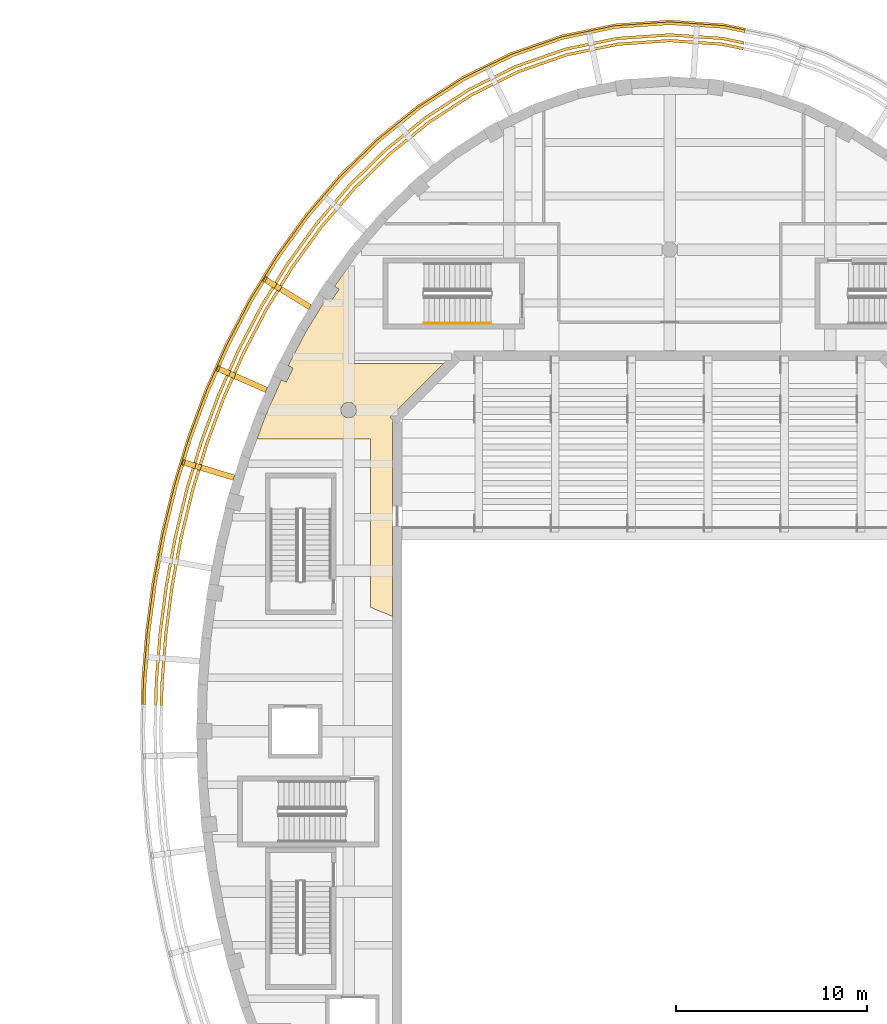
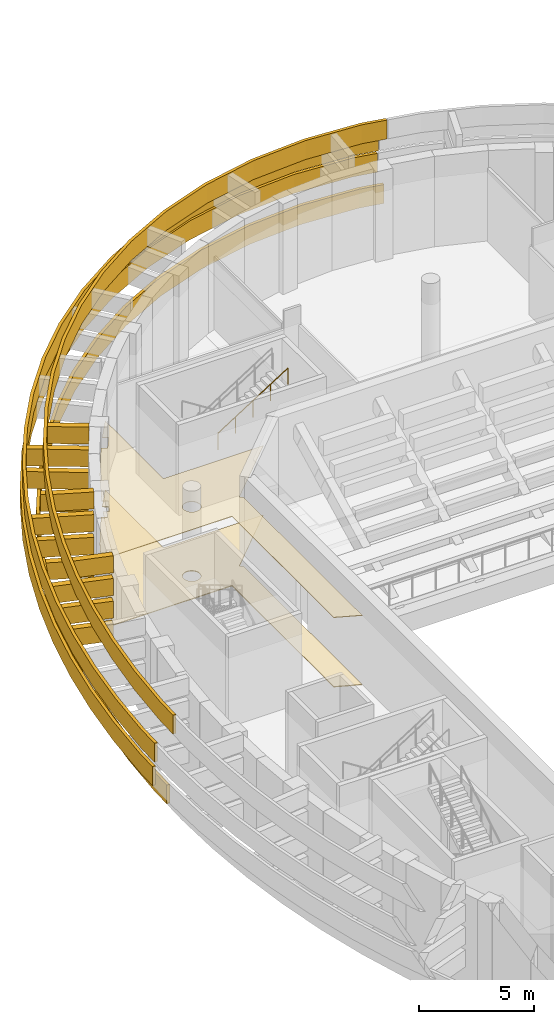
# One storey, part 34 of 37: 18 coverings, 1 railing.
"""IFC4 building model written with IfcOpenShell, lengths in metres."""

from ifc_helpers import new_model, si_unit, direction, frame, origin, origin_2d, place, context, subcontext, project, spatial, polyline, rectangle, circle, outline, extrude, material, layer, layer_set, type_object, element, save


model = new_model("IFC4")

# Units and contexts
model_context = context("Model", 3, precision=1e-05, world=origin(), true_north=direction((0.0, 1.0)))
body_context = subcontext(model_context, "Body", "Model", "MODEL_VIEW")
ifc_project = project(units=[si_unit("LENGTHUNIT", "METRE"), si_unit("AREAUNIT", "SQUARE_METRE"), si_unit("VOLUMEUNIT", "CUBIC_METRE"), si_unit("PLANEANGLEUNIT", "RADIAN"), si_unit("MASSUNIT", "GRAM", prefix="KILO")], contexts=[model_context])

# Site, building, storey
site_placement = place(None, origin())
site = spatial("IfcSite", under=ifc_project, at=site_placement, CompositionType="ELEMENT")
building_placement = place(site_placement, origin())
building = spatial("IfcBuilding", under=site, at=building_placement, Name="Larchfold Concert Hall", CompositionType="ELEMENT")
storey_placement = place(building_placement, frame((0.0, 0.0, 19.199951171875)))
storey = spatial("IfcBuildingStorey", under=building, at=storey_placement, Name="L04", CompositionType="ELEMENT", Elevation=19.199951171875)

# Coverings
ifc_material_1 = material(Name="Plasterboard ceiling lining")
ifc_layer_1 = layer(ifc_material_1, 0.030029296875)
ifc_layer_set_1 = layer_set([ifc_layer_1], Name="Plasterboard ceiling lining")
covering_type_1 = type_object("IfcCoveringType", Name="Ceiling suspended plasterboard 30", PredefinedType="CEILING", material=ifc_layer_set_1)
covering_1_placement = place(storey_placement, frame((0.0, 0.0, 3.670166015625)))
element("IfcCovering", 1, at=covering_1_placement, inside=storey, type_object=covering_type_1, Name="Ceiling Hall Foyer North West", PredefinedType="CEILING", context=body_context, shape_type="SweptSolid", body=[
    extrude(outline(polyline([(26.949951171875, 99.900146484375), (26.949951171875, 91.08251953125), (28.10009765625, 90.60595703125), (28.10009765625, 100.878662109375), (27.962646484375, 101.01611328125), (30.79638671875, 103.849853515625), (25.800048828125, 103.849853515625), (25.800048828125, 108.898681640625), (25.06494140625, 107.884033203125), (25.301513671875, 107.726318359375), (24.857666015625, 107.060791015625), (24.620361328125, 107.218994140625), (23.564208984375, 105.502685546875), (22.63037109375, 103.715576171875), (22.888671875, 103.591552734375), (22.5419921875, 102.870361328125), (22.283203125, 102.994873046875), (21.468017578125, 101.149169921875), (21.00634765625, 99.900146484375), (26.949951171875, 99.900146484375)]), holes=[polyline([(25.696533203125, 101.013427734375), (25.64697265625, 101.0302734375), (25.60009765625, 101.053466796875), (25.556640625, 101.08251953125), (25.51708984375, 101.116943359375), (25.482666015625, 101.156494140625), (25.45361328125, 101.199951171875), (25.430419921875, 101.246826171875), (25.41357421875, 101.29638671875), (25.403564453125, 101.34765625), (25.400146484375, 101.39990234375), (25.403564453125, 101.4521484375), (25.41357421875, 101.50341796875), (25.430419921875, 101.552978515625), (25.45361328125, 101.599853515625), (25.482666015625, 101.643310546875), (25.51708984375, 101.682861328125), (25.556640625, 101.71728515625), (25.60009765625, 101.746337890625), (25.64697265625, 101.76953125), (25.696533203125, 101.786376953125), (25.747802734375, 101.79638671875), (25.800048828125, 101.7998046875), (25.852294921875, 101.79638671875), (25.903564453125, 101.786376953125), (25.953125, 101.76953125), (26.0, 101.746337890625), (26.04345703125, 101.71728515625), (26.0830078125, 101.682861328125), (26.117431640625, 101.643310546875), (26.146484375, 101.599853515625), (26.169677734375, 101.552978515625), (26.1865234375, 101.50341796875), (26.196533203125, 101.4521484375), (26.199951171875, 101.39990234375), (26.196533203125, 101.34765625), (26.1865234375, 101.29638671875), (26.169677734375, 101.246826171875), (26.146484375, 101.199951171875), (26.117431640625, 101.156494140625), (26.0830078125, 101.116943359375), (26.04345703125, 101.08251953125), (26.0, 101.053466796875), (25.953125, 101.0302734375), (25.903564453125, 101.013427734375), (25.852294921875, 101.00341796875), (25.800048828125, 101.0), (25.747802734375, 101.00341796875), (25.696533203125, 101.013427734375)])]), origin(), (0.0, 0.0, 1.0), 0.030029296875),
])
ifc_material_2 = material(Name="Polished terrazzo")
ifc_layer_2 = layer(ifc_material_2, 0.0400390625)
ifc_layer_set_2 = layer_set([ifc_layer_2], Name="Polished terrazzo")
covering_type_2 = type_object("IfcCoveringType", Name="Floor finish terrazzo 40", PredefinedType="FLOORING", material=ifc_layer_set_2)
covering_2_placement = place(storey_placement, origin())
element("IfcCovering", 2, at=covering_2_placement, inside=storey, type_object=covering_type_2, Name="Floor finish Hall Foyer North West", PredefinedType="FLOORING", context=body_context, shape_type="SweptSolid", body=[
    extrude(outline(polyline([(26.949951171875, 99.900146484375), (26.949951171875, 91.08251953125), (28.10009765625, 90.60595703125), (28.10009765625, 100.878662109375), (27.962646484375, 101.01611328125), (30.79638671875, 103.849853515625), (25.800048828125, 103.849853515625), (25.800048828125, 108.898681640625), (25.06494140625, 107.884033203125), (25.301513671875, 107.726318359375), (24.857666015625, 107.060791015625), (24.620361328125, 107.218994140625), (23.564208984375, 105.502685546875), (22.63037109375, 103.715576171875), (22.888671875, 103.591552734375), (22.5419921875, 102.870361328125), (22.283203125, 102.994873046875), (21.468017578125, 101.149169921875), (21.00634765625, 99.900146484375), (26.949951171875, 99.900146484375)]), holes=[polyline([(25.696533203125, 101.013427734375), (25.64697265625, 101.0302734375), (25.60009765625, 101.053466796875), (25.556640625, 101.08251953125), (25.51708984375, 101.116943359375), (25.482666015625, 101.156494140625), (25.45361328125, 101.199951171875), (25.430419921875, 101.246826171875), (25.41357421875, 101.29638671875), (25.403564453125, 101.34765625), (25.400146484375, 101.39990234375), (25.403564453125, 101.4521484375), (25.41357421875, 101.50341796875), (25.430419921875, 101.552978515625), (25.45361328125, 101.599853515625), (25.482666015625, 101.643310546875), (25.51708984375, 101.682861328125), (25.556640625, 101.71728515625), (25.60009765625, 101.746337890625), (25.64697265625, 101.76953125), (25.696533203125, 101.786376953125), (25.747802734375, 101.79638671875), (25.800048828125, 101.7998046875), (25.852294921875, 101.79638671875), (25.903564453125, 101.786376953125), (25.953125, 101.76953125), (26.0, 101.746337890625), (26.04345703125, 101.71728515625), (26.0830078125, 101.682861328125), (26.117431640625, 101.643310546875), (26.146484375, 101.599853515625), (26.169677734375, 101.552978515625), (26.1865234375, 101.50341796875), (26.196533203125, 101.4521484375), (26.199951171875, 101.39990234375), (26.196533203125, 101.34765625), (26.1865234375, 101.29638671875), (26.169677734375, 101.246826171875), (26.146484375, 101.199951171875), (26.117431640625, 101.156494140625), (26.0830078125, 101.116943359375), (26.04345703125, 101.08251953125), (26.0, 101.053466796875), (25.953125, 101.0302734375), (25.903564453125, 101.013427734375), (25.852294921875, 101.00341796875), (25.800048828125, 101.0), (25.747802734375, 101.00341796875), (25.696533203125, 101.013427734375)])]), origin(), (0.0, 0.0, 1.0), 0.0400390625),
])
ifc_material_3 = material(Name="Powder-coated orange aluminium", Category="aluminium")
ifc_layer_3 = layer(ifc_material_3, 0.14990234375)
ifc_layer_set_3 = layer_set([ifc_layer_3], Name="Powder-coated orange aluminium")
covering_type_3 = type_object("IfcCoveringType", Name="Orange aluminium ring cladding", PredefinedType="CLADDING", material=ifc_layer_set_3)
covering_3_placement = place(storey_placement, frame((0.0, 0.0, 0.900146484375)))
element("IfcCovering", 3, at=covering_3_placement, inside=storey, type_object=covering_type_3, Name="Ring band R08b", PredefinedType="CLADDING", context=body_context, shape_type="SweptSolid", body=[
    extrude(outline(polyline([(42.60009765625, 120.95556640625), (45.347412109375, 120.766357421875), (46.470703125, 120.533447265625), (46.487060546875, 120.683349609375), (45.367919921875, 120.915283203125), (42.60009765625, 121.10595703125), (39.832275390625, 120.915283203125), (37.1240234375, 120.353759765625), (34.52685546875, 119.448974609375), (32.07861328125, 118.241455078125), (29.80322265625, 116.774658203125), (27.7109375, 115.091064453125), (25.805908203125, 113.22802734375), (24.0849609375, 111.218505859375), (22.542236328125, 109.08935546875), (21.171630859375, 106.86181640625), (19.9658203125, 104.5546875), (18.917724609375, 102.182373046875), (18.02197265625, 99.75732421875), (17.272705078125, 97.2900390625), (16.66552734375, 94.789306640625), (16.197021484375, 92.263427734375), (15.864013671875, 89.718994140625), (15.665283203125, 87.162353515625), (15.63427734375, 85.959228515625), (15.7841796875, 85.951904296875), (15.815185546875, 87.154541015625), (16.013427734375, 89.703369140625), (16.34521484375, 92.239990234375), (16.812255859375, 94.7578125), (17.41748046875, 97.25048828125), (18.1640625, 99.70947265625), (19.056884765625, 102.126220703125), (20.10107421875, 104.489501953125), (21.302001953125, 106.78759765625), (22.6669921875, 109.005859375), (24.202880859375, 111.125732421875), (25.91552734375, 113.12548828125), (27.810546875, 114.978759765625), (29.89111328125, 116.65283203125), (32.152587890625, 118.110595703125), (34.5849609375, 119.310546875), (37.1640625, 120.208740234375), (39.852783203125, 120.766357421875), (42.60009765625, 120.95556640625)])), origin(), (0.0, 0.0, 1.0), 1.0),
])
covering_4_placement = place(storey_placement, frame((0.0, 0.0, 2.10009765625)))
element("IfcCovering", 4, at=covering_4_placement, inside=storey, type_object=covering_type_3, Name="Ring band R09b", PredefinedType="CLADDING", context=body_context, shape_type="SweptSolid", body=[
    extrude(outline(polyline([(42.60009765625, 121.6572265625), (45.443115234375, 121.46142578125), (46.546630859375, 121.232666015625), (46.562744140625, 121.38232421875), (45.463623046875, 121.6103515625), (42.60009765625, 121.8076171875), (39.736572265625, 121.6103515625), (36.93701171875, 121.02978515625), (34.255859375, 120.095947265625), (31.733154296875, 118.8515625), (29.392822265625, 117.343017578125), (27.245849609375, 115.614990234375), (25.29443359375, 113.70703125), (23.53466796875, 111.65234375), (21.9599609375, 109.478515625), (20.5625, 107.207763671875), (19.3349609375, 104.8583984375), (18.268798828125, 102.445556640625), (17.358154296875, 99.980712890625), (16.59716796875, 97.474609375), (15.980712890625, 94.935791015625), (15.50537109375, 92.372802734375), (15.167724609375, 89.79150390625), (14.966064453125, 87.198486328125), (14.93505859375, 85.993896484375), (15.0849609375, 85.986572265625), (15.115966796875, 87.19091796875), (15.31689453125, 89.77587890625), (15.653564453125, 92.349365234375), (16.12744140625, 94.904541015625), (16.741943359375, 97.43505859375), (17.500244140625, 99.932861328125), (18.40771484375, 102.38916015625), (19.469970703125, 104.79345703125), (20.693115234375, 107.133544921875), (22.084716796875, 109.395263671875), (23.652587890625, 111.559326171875), (25.404052734375, 113.604248046875), (27.345458984375, 115.502685546875), (29.480712890625, 117.22119140625), (31.80712890625, 118.720703125), (34.31396484375, 119.957275390625), (36.97705078125, 120.884765625), (39.757080078125, 121.46142578125), (42.60009765625, 121.6572265625)])), origin(), (0.0, 0.0, 1.0), 1.0),
])
covering_5_placement = place(storey_placement, frame((0.0, 0.0, 3.300048828125)))
element("IfcCovering", 5, at=covering_5_placement, inside=storey, type_object=covering_type_3, Name="Ring band R10b", PredefinedType="CLADDING", context=body_context, shape_type="SweptSolid", body=[
    extrude(outline(polyline([(42.60009765625, 121.556884765625), (45.429443359375, 121.362060546875), (46.53564453125, 121.1328125), (46.552001953125, 121.282470703125), (45.449951171875, 121.51123046875), (42.60009765625, 121.707275390625), (39.750244140625, 121.51123046875), (36.9638671875, 120.93310546875), (34.294677734375, 120.00341796875), (31.782470703125, 118.764404296875), (29.451416015625, 117.26171875), (27.312255859375, 115.540283203125), (25.367431640625, 113.638671875), (23.61328125, 111.59033203125), (22.04296875, 109.4228515625), (20.6494140625, 107.158203125), (19.425048828125, 104.815185546875), (18.361572265625, 102.407958984375), (17.452880859375, 99.94873046875), (16.693603515625, 97.4482421875), (16.07861328125, 94.914794921875), (15.60400390625, 92.357177734375), (15.26708984375, 89.781005859375), (15.06591796875, 87.193359375), (15.034912109375, 85.989013671875), (15.184814453125, 85.981689453125), (15.2158203125, 87.185546875), (15.41650390625, 89.765625), (15.752197265625, 92.333740234375), (16.225341796875, 94.883544921875), (16.83837890625, 97.40869140625), (17.59521484375, 99.90087890625), (18.50048828125, 102.3515625), (19.560302734375, 104.75), (20.780029296875, 107.084228515625), (22.16796875, 109.339599609375), (23.731201171875, 111.497314453125), (25.47705078125, 113.535888671875), (27.411865234375, 115.427978515625), (29.539306640625, 117.139892578125), (31.8564453125, 118.633544921875), (34.352783203125, 119.864990234375), (37.00390625, 120.788330078125), (39.770751953125, 121.362060546875), (42.60009765625, 121.556884765625)])), origin(), (0.0, 0.0, 1.0), 1.0),
])
covering_6_placement = place(storey_placement, frame((0.0, 0.0, 4.5)))
element("IfcCovering", 6, at=covering_6_placement, inside=storey, type_object=covering_type_3, Name="Ring band R11b", PredefinedType="CLADDING", context=body_context, shape_type="SweptSolid", body=[
    extrude(outline(polyline([(42.60009765625, 120.65478515625), (45.306396484375, 120.468505859375), (46.438232421875, 120.23388671875), (46.45458984375, 120.383544921875), (45.326904296875, 120.617431640625), (42.60009765625, 120.80517578125), (39.873291015625, 120.617431640625), (37.2041015625, 120.06396484375), (34.64306640625, 119.171875), (32.226806640625, 117.97998046875), (29.97900390625, 116.531005859375), (27.910400390625, 114.866455078125), (26.025146484375, 113.02294921875), (24.320556640625, 111.03271484375), (22.791748046875, 108.92236328125), (21.4326171875, 106.71337890625), (20.236328125, 104.42431640625), (19.196044921875, 102.06982421875), (18.306396484375, 99.661865234375), (17.562255859375, 97.2109375), (16.958984375, 94.7265625), (16.493408203125, 92.216552734375), (16.16259765625, 89.687744140625), (15.965087890625, 87.14697265625), (15.93408203125, 85.944580078125), (16.083984375, 85.93701171875), (16.114990234375, 87.13916015625), (16.311767578125, 89.672119140625), (16.6416015625, 92.193115234375), (17.105712890625, 94.695068359375), (17.70703125, 97.171630859375), (18.44873046875, 99.614013671875), (19.3349609375, 102.013427734375), (20.37158203125, 104.359375), (21.56298828125, 106.639404296875), (22.91650390625, 108.839111328125), (24.4384765625, 110.939697265625), (26.134765625, 112.920166015625), (28.010009765625, 114.75390625), (30.06689453125, 116.4091796875), (32.30078125, 117.84912109375), (34.701171875, 119.033203125), (37.244140625, 119.9189453125), (39.893798828125, 120.468505859375), (42.60009765625, 120.65478515625)])), origin(), (0.0, 0.0, 1.0), 1.0),
])
ifc_material_4 = material(Name="Galvanised steel bracket", Category="steel")
ifc_layer_4 = layer(ifc_material_4, 0.300048828125)
ifc_layer_set_4 = layer_set([ifc_layer_4], Name="Galvanised steel bracket")
covering_type_4 = type_object("IfcCoveringType", Name="Ring support bracket", PredefinedType="CLADDING", material=ifc_layer_set_4)
for number, where, z_axis, x_axis, name in (
    (7, (22.87744140625, 107.343994140625, 0.9501953125), (0.0, 0.0, 1.0), (-0.851675410882, 0.524069646611, 0.0), "Ring bracket BR-R08-15"),
    (8, (20.538818359375, 102.8818359375, 0.9501953125), (0.0, 0.0, 1.0), (-0.91470116954, 0.404130882813, 0.0), "Ring bracket BR-R08-16"),
    (9, (18.795166015625, 98.173828125, 0.9501953125), (0.0, 0.0, 1.0), (-0.956854836506, 0.29056638115, 0.0), "Ring bracket BR-R08-17"),
):
    element("IfcCovering", number, at=place(storey_placement, frame(where, z_axis=z_axis, x_axis=x_axis)), inside=storey, type_object=covering_type_4, Name=name, PredefinedType="CLADDING", context=body_context, shape_type="SweptSolid", body=[
        extrude(rectangle(XDim=2.10009765625, YDim=0.300048828125, at=origin_2d()), origin(), (0.0, 0.0, 1.0), 0.89990234375),
    ])
for number, where, z_axis, x_axis, name in (
    (10, (22.579345703125, 107.527587890625, 2.150146484375), (0.0, 0.0, 1.0), (-0.851675410882, 0.524069646611, 0.0), "Ring bracket BR-R09-15"),
    (11, (20.218505859375, 103.023193359375, 2.150146484375), (0.0, 0.0, 1.0), (-0.91470116954, 0.404130882813, 0.0), "Ring bracket BR-R09-16"),
    (12, (18.460205078125, 98.275390625, 2.150146484375), (0.0, 0.0, 1.0), (-0.956854836506, 0.29056638115, 0.0), "Ring bracket BR-R09-17"),
):
    element("IfcCovering", number, at=place(storey_placement, frame(where, z_axis=z_axis, x_axis=x_axis)), inside=storey, type_object=covering_type_4, Name=name, PredefinedType="CLADDING", context=body_context, shape_type="SweptSolid", body=[
        extrude(rectangle(XDim=2.800048828125, YDim=0.300048828125, at=origin_2d()), origin(), (0.0, 0.0, 1.0), 0.89990234375),
    ])
for number, where, z_axis, x_axis, name in (
    (13, (22.621826171875, 107.501220703125, 3.35009765625), (0.0, 0.0, 1.0), (-0.851675410882, 0.524069646611, 0.0), "Ring bracket BR-R10-15"),
    (14, (20.264404296875, 103.003173828125, 3.35009765625), (0.0, 0.0, 1.0), (-0.91470116954, 0.404130882813, 0.0), "Ring bracket BR-R10-16"),
    (15, (18.508056640625, 98.260986328125, 3.35009765625), (0.0, 0.0, 1.0), (-0.956854836506, 0.29056638115, 0.0), "Ring bracket BR-R10-17"),
):
    element("IfcCovering", number, at=place(storey_placement, frame(where, z_axis=z_axis, x_axis=x_axis)), inside=storey, type_object=covering_type_4, Name=name, PredefinedType="CLADDING", context=body_context, shape_type="SweptSolid", body=[
        extrude(rectangle(XDim=2.699951171875, YDim=0.300048828125, at=origin_2d()), origin(), (0.0, 0.0, 1.0), 0.89990234375),
    ])
for number, where, z_axis, x_axis, name in (
    (16, (23.005126953125, 107.265380859375, 4.550048828125), (0.0, 0.0, 1.0), (-0.851675410882, 0.524069646611, 0.0), "Ring bracket BR-R11-15"),
    (17, (20.676025390625, 102.8212890625, 4.550048828125), (0.0, 0.0, 1.0), (-0.91470116954, 0.404130882813, 0.0), "Ring bracket BR-R11-16"),
    (18, (18.938720703125, 98.130126953125, 4.550048828125), (0.0, 0.0, 1.0), (-0.956854836506, 0.29056638115, 0.0), "Ring bracket BR-R11-17"),
):
    element("IfcCovering", number, at=place(storey_placement, frame(where, z_axis=z_axis, x_axis=x_axis)), inside=storey, type_object=covering_type_4, Name=name, PredefinedType="CLADDING", context=body_context, shape_type="SweptSolid", body=[
        extrude(rectangle(XDim=1.800048828125, YDim=0.300048828125, at=origin_2d()), origin(), (0.0, 0.0, 1.0), 0.89990234375),
    ])

# Railing
ifc_material_5 = material(Name="Stainless steel handrail", Category="steel")
railing_type = type_object("IfcRailingType", Name="Stair handrail 900", PredefinedType="HANDRAIL", material=ifc_material_5)
railing_placement = place(storey_placement, frame((29.739990234375, 105.9501953125, 2.571533203125)))
element("IfcRailing", 19, at=railing_placement, inside=storey, type_object=railing_type, Name="Handrail HR0010", PredefinedType="HANDRAIL", context=body_context, shape_type="SweptSolid", body=[
    extrude(circle(Radius=0.02392578125, at=origin_2d()), frame((0.0, 0.0, 0.8759765625), z_axis=(0.844219563411, 0.0, 0.53599750816), x_axis=(0.0, 1.0, 0.0)), (0.0, 0.0, 1.0), 4.15771484375),
    extrude(circle(Radius=0.02099609375, at=origin_2d()), origin(), (0.0, 0.0, 1.0), 0.851806640625),
    extrude(circle(Radius=0.02099609375, at=origin_2d()), frame((0.87744140625, 0.0, 0.55712890625)), (0.0, 0.0, 1.0), 0.851806640625),
    extrude(circle(Radius=0.02099609375, at=origin_2d()), frame((1.7548828125, 0.0, 1.1142578125)), (0.0, 0.0, 1.0), 0.851806640625),
    extrude(circle(Radius=0.02099609375, at=origin_2d()), frame((2.632568359375, 0.0, 1.67138671875)), (0.0, 0.0, 1.0), 0.851806640625),
    extrude(circle(Radius=0.02099609375, at=origin_2d()), frame((3.510009765625, 0.0, 2.228515625)), (0.0, 0.0, 1.0), 0.851806640625),
])

save(model, "model.ifc")
